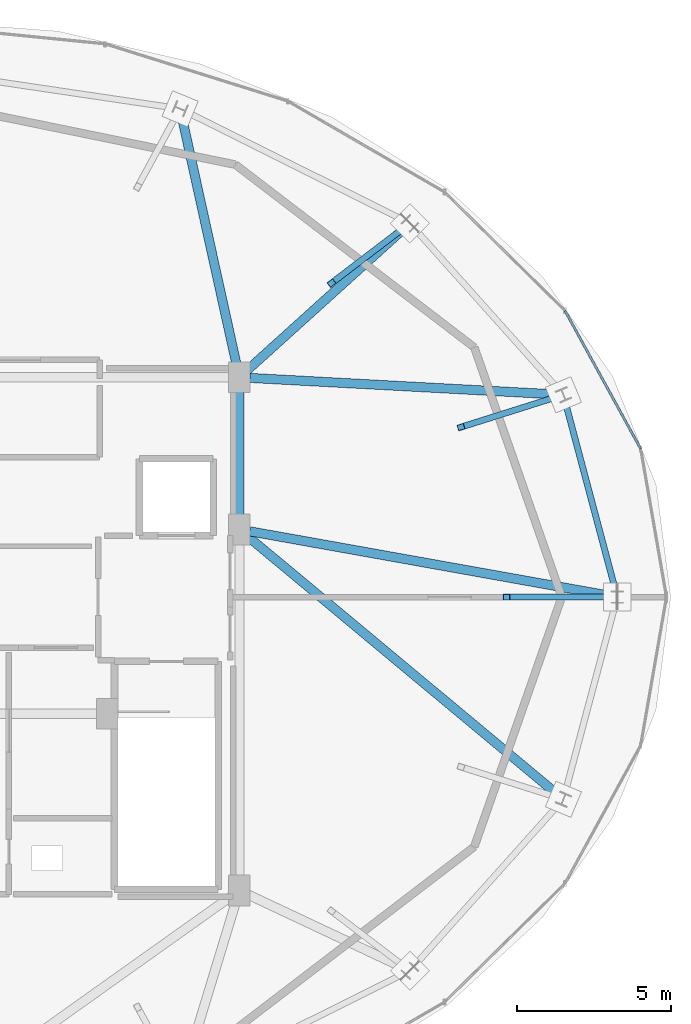
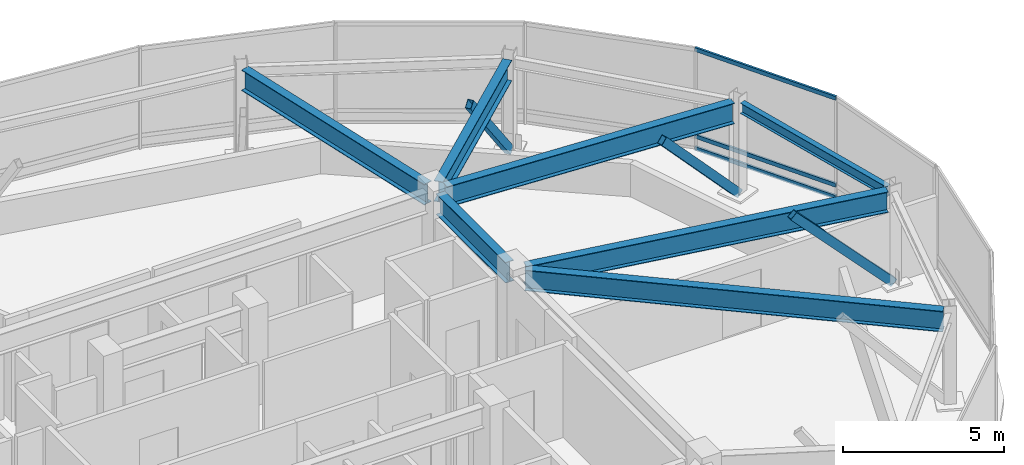
# One storey, part 15 of 28: 7 beams, 6 members, 1 element without a shape of its own.
"""IFC4 building model written with IfcOpenShell, lengths in metres."""

from ifc_helpers import new_model, si_unit, direction, frame, origin, origin_2d, place, context, subcontext, project, spatial, hollow_rectangle, i_section, extrude, material, material_profile, profile_set, type_object, element, aggregate, save


model = new_model("IFC4")

# Units and contexts
model_context = context("Model", 3, precision=1e-05, world=origin(), true_north=direction((0.0, 1.0)))
body_context = subcontext(model_context, "Body", "Model", "MODEL_VIEW")
ifc_project = project(units=[si_unit("LENGTHUNIT", "METRE"), si_unit("AREAUNIT", "SQUARE_METRE"), si_unit("VOLUMEUNIT", "CUBIC_METRE"), si_unit("PLANEANGLEUNIT", "RADIAN"), si_unit("MASSUNIT", "GRAM", prefix="KILO")], contexts=[model_context])

# Site, building, storey
site_placement = place(None, origin())
site = spatial("IfcSite", under=ifc_project, at=site_placement, CompositionType="ELEMENT")
building_placement = place(site_placement, origin())
building = spatial("IfcBuilding", under=site, at=building_placement, Name="Vorneva Point Tower", CompositionType="ELEMENT")
storey_placement = place(building_placement, frame((0.0, 0.0, 295.39990234375)))
storey = spatial("IfcBuildingStorey", under=building, at=storey_placement, Name="C01", CompositionType="ELEMENT", Elevation=295.39990234375)

# Beams
ifc_material_1 = material(Name="Steel S355", Category="steel")
ifc_material_profile_1 = material_profile(ifc_material_1, i_section(OverallWidth=0.300048828125, OverallDepth=0.7880859375, WebThickness=0.014404296875, FlangeThickness=0.02197265625, at=origin_2d()), Name="80Sh1")
ifc_profile_set_1 = profile_set([ifc_material_profile_1], Name="Steel S355")
beam_type_1 = type_object("IfcBeamType", Name="BM-GRD-80Sh1", PredefinedType="USERDEFINED", material=ifc_profile_set_1)
beam_1_placement = place(storey_placement, frame((60.864990234375, 26.033203125, 3.156005859375), z_axis=(-0.984379626052, 0.176058944144, 0.0), x_axis=(-0.176058944144, -0.984379626052, 0.0)))
element("IfcBeam", 1, at=beam_1_placement, inside=storey, type_object=beam_type_1, Name="C01 Radial Primary Girder 01", ObjectType="GIRDER", PredefinedType="USERDEFINED", context=body_context, shape_type="SweptSolid", body=[
    extrude(i_section(OverallWidth=0.300048828125, OverallDepth=0.7880859375, WebThickness=0.014404296875, FlangeThickness=0.02197265625, at=origin_2d()), origin(), (0.0, 0.0, 1.0), 11.96728515625),
])
beam_2_placement = place(storey_placement, frame((59.107666015625, 32.59228515625, 3.156005859375), z_axis=(-0.998554124067, 0.053755570017, 0.0), x_axis=(-0.053755570017, -0.998554124067, 0.0)))
element("IfcBeam", 2, at=beam_2_placement, inside=storey, type_object=beam_type_1, Name="C01 Radial Primary Girder 02", ObjectType="GIRDER", PredefinedType="USERDEFINED", context=body_context, shape_type="SweptSolid", body=[
    extrude(i_section(OverallWidth=0.300048828125, OverallDepth=0.7880859375, WebThickness=0.014404296875, FlangeThickness=0.02197265625, at=origin_2d()), origin(), (0.0, 0.0, 1.0), 10.032470703125),
])
beam_3_placement = place(storey_placement, frame((54.1591796875, 38.0361328125, 3.156005859375), z_axis=(-0.742082348694, -0.670308725706, 0.0), x_axis=(0.670308725706, -0.742082348694, 0.0)))
element("IfcBeam", 3, at=beam_3_placement, inside=storey, type_object=beam_type_1, Name="C01 Radial Primary Girder 03", ObjectType="GIRDER", PredefinedType="USERDEFINED", context=body_context, shape_type="SweptSolid", body=[
    extrude(i_section(OverallWidth=0.300048828125, OverallDepth=0.7880859375, WebThickness=0.014404296875, FlangeThickness=0.02197265625, at=origin_2d()), origin(), (0.0, 0.0, 1.0), 6.94921875),
])
beam_4_placement = place(storey_placement, frame((46.861328125, 41.70703125, 3.156005859375), z_axis=(0.215530781799, -0.97649704664, 0.0), x_axis=(0.97649704664, 0.215530781799, 0.0)))
element("IfcBeam", 4, at=beam_4_placement, inside=storey, type_object=beam_type_1, Name="C01 Radial Primary Girder 04", ObjectType="GIRDER", PredefinedType="USERDEFINED", context=body_context, shape_type="SweptSolid", body=[
    extrude(i_section(OverallWidth=0.300048828125, OverallDepth=0.7880859375, WebThickness=0.014404296875, FlangeThickness=0.02197265625, at=origin_2d()), origin(), (0.0, 0.0, 1.0), 8.423095703125),
])
beam_5_placement = place(storey_placement, frame((59.15087890625, 19.5380859375, 3.156005859375), z_axis=(-0.768421426665, 0.639944146814, 0.0), x_axis=(-0.639944146814, -0.768421426665, 0.0)))
element("IfcBeam", 5, at=beam_5_placement, inside=storey, type_object=beam_type_1, Name="C01 Radial Primary Girder 16", ObjectType="GIRDER", PredefinedType="USERDEFINED", context=body_context, shape_type="SweptSolid", body=[
    extrude(i_section(OverallWidth=0.300048828125, OverallDepth=0.7880859375, WebThickness=0.014404296875, FlangeThickness=0.02197265625, at=origin_2d()), origin(), (0.0, 0.0, 1.0), 13.1953125),
])
beam_6_placement = place(storey_placement, frame((48.75, 28.52001953125, 3.156005859375), z_axis=(0.0, 1.0, 0.0), x_axis=(-1.0, 0.0, 0.0)))
element("IfcBeam", 6, at=beam_6_placement, inside=storey, type_object=beam_type_1, Name="C01 Core Tie Girder CT4", ObjectType="GIRDER", PredefinedType="USERDEFINED", context=body_context, shape_type="SweptSolid", body=[
    extrude(i_section(OverallWidth=0.300048828125, OverallDepth=0.7880859375, WebThickness=0.014404296875, FlangeThickness=0.02197265625, at=origin_2d()), origin(), (0.0, 0.0, 1.0), 4.31005859375),
])
ifc_material_profile_2 = material_profile(ifc_material_1, i_section(OverallWidth=0.198974609375, OverallDepth=0.39599609375, WebThickness=0.007080078125, FlangeThickness=0.010986328125, at=origin_2d()), Name="40B1")
ifc_profile_set_2 = profile_set([ifc_material_profile_2], Name="Steel S355")
beam_type_2 = type_object("IfcBeamType", Name="BM-SPN-40B1", PredefinedType="SPANDREL", material=ifc_profile_set_2)
beam_7_placement = place(storey_placement, frame((61.002197265625, 26.1787109375, 3.35205078125), z_axis=(-0.257558860387, 0.96626261101, 0.0), x_axis=(-0.96626261101, -0.257558860387, 0.0)))
element("IfcBeam", 7, at=beam_7_placement, inside=storey, type_object=beam_type_2, Name="C01 Perimeter Spandrel Ring Beam 01", PredefinedType="SPANDREL", context=body_context, shape_type="SweptSolid", body=[
    extrude(i_section(OverallWidth=0.198974609375, OverallDepth=0.39599609375, WebThickness=0.007080078125, FlangeThickness=0.010986328125, at=origin_2d()), origin(), (0.0, 0.0, 1.0), 6.44189453125),
])

# Curtain wall, members
ifc_material_2 = material(Name="Pale anodised aluminium", Category="aluminium")
curtain_wall_type = type_object("IfcCurtainWallType", Name="CW-CRN-SYS", PredefinedType="NOTDEFINED", material=ifc_material_2)
curtain_wall_placement = place(storey_placement, origin())
curtain_wall = element("IfcCurtainWall", 8, at=curtain_wall_placement, inside=storey, type_object=curtain_wall_type, Name="C01 Unitised Curtain Wall CW-C01-Q1", PredefinedType="NOTDEFINED")
ifc_material_profile_3 = material_profile(ifc_material_2, hollow_rectangle(XDim=0.074951171875, YDim=0.14990234375, WallThickness=0.00390625, at=origin_2d()), Name="AL-TRN 150x75x4")
ifc_profile_set_3 = profile_set([ifc_material_profile_3], Name="Pale anodised aluminium")
member_type_1 = type_object("IfcMemberType", Name="CW-TRN-150", PredefinedType="USERDEFINED", material=ifc_profile_set_3)
member_1_placement = place(storey_placement, frame((61.81005859375, 30.824462890625, 0.02001953125), z_axis=(-0.480429774856, 0.877033198592, 0.0), x_axis=(-0.877033198592, -0.480429774856, 0.0)))
member_1 = element("IfcMember", 9, at=member_1_placement, type_object=member_type_1, Name="CW-C01-Q1 Transom 02.1", ObjectType="TRANSOM", PredefinedType="USERDEFINED", context=body_context, shape_type="SweptSolid", body=[
    extrude(hollow_rectangle(XDim=0.074951171875, YDim=0.14990234375, WallThickness=0.00390625, at=origin_2d()), origin(), (0.0, 0.0, 1.0), 5.1259765625),
])
member_2_placement = place(storey_placement, frame((61.81005859375, 30.824462890625, 0.47998046875), z_axis=(-0.480429774856, 0.877033198592, 0.0), x_axis=(-0.877033198592, -0.480429774856, 0.0)))
member_2 = element("IfcMember", 10, at=member_2_placement, type_object=member_type_1, Name="CW-C01-Q1 Transom 02.2", ObjectType="TRANSOM", PredefinedType="USERDEFINED", context=body_context, shape_type="SweptSolid", body=[
    extrude(hollow_rectangle(XDim=0.074951171875, YDim=0.14990234375, WallThickness=0.00390625, at=origin_2d()), origin(), (0.0, 0.0, 1.0), 5.1259765625),
])
member_3_placement = place(storey_placement, frame((61.81005859375, 30.824462890625, 3.780029296875), z_axis=(-0.480429774856, 0.877033198592, 0.0), x_axis=(-0.877033198592, -0.480429774856, 0.0)))
member_3 = element("IfcMember", 11, at=member_3_placement, type_object=member_type_1, Name="CW-C01-Q1 Transom 02.3", ObjectType="TRANSOM", PredefinedType="USERDEFINED", context=body_context, shape_type="SweptSolid", body=[
    extrude(hollow_rectangle(XDim=0.074951171875, YDim=0.14990234375, WallThickness=0.00390625, at=origin_2d()), origin(), (0.0, 0.0, 1.0), 5.1259765625),
])
aggregate(curtain_wall, [member_1, member_2, member_3])

# Members
ifc_material_profile_4 = material_profile(ifc_material_1, hollow_rectangle(XDim=0.199951171875, YDim=0.300048828125, WallThickness=0.011962890625, at=origin_2d()), Name="PP 300x200x12")
ifc_profile_set_4 = profile_set([ifc_material_profile_4], Name="Steel S355")
member_type_2 = type_object("IfcMemberType", Name="MBR-CRN-PP300", PredefinedType="CHORD", material=ifc_profile_set_4)
member_4_placement = place(storey_placement, frame((61.050048828125, 26.0, 0.0), z_axis=(-0.688559648215, 0.0, 0.725179709348), x_axis=(0.0, -1.0, 0.0)))
element("IfcMember", 12, at=member_4_placement, inside=storey, type_object=member_type_2, Name="Crown Tapered Frame Rib C01-01", PredefinedType="CHORD", context=body_context, shape_type="SweptSolid", body=[
    extrude(hollow_rectangle(XDim=0.199951171875, YDim=0.300048828125, WallThickness=0.011962890625, at=origin_2d()), origin(), (0.0, 0.0, 1.0), 5.240234375),
])
member_5_placement = place(storey_placement, frame((59.29541015625, 32.582275390625, 0.0), z_axis=(-0.645578203755, -0.203844403163, 0.735986577415), x_axis=(0.301101283468, -0.953592164971, 0.0)))
element("IfcMember", 13, at=member_5_placement, inside=storey, type_object=member_type_2, Name="Crown Tapered Frame Rib C01-02", PredefinedType="CHORD", context=body_context, shape_type="SweptSolid", body=[
    extrude(hollow_rectangle(XDim=0.199951171875, YDim=0.300048828125, WallThickness=0.011962890625, at=origin_2d()), origin(), (0.0, 0.0, 1.0), 5.1630859375),
])
member_6_placement = place(storey_placement, frame((54.298828125, 38.162109375, 0.0), z_axis=(-0.513033981521, -0.390985897496, 0.764150614581), x_axis=(0.606144108683, -0.795354838741, 0.0)))
element("IfcMember", 14, at=member_6_placement, inside=storey, type_object=member_type_2, Name="Crown Tapered Frame Rib C01-03", PredefinedType="CHORD", context=body_context, shape_type="SweptSolid", body=[
    extrude(hollow_rectangle(XDim=0.199951171875, YDim=0.300048828125, WallThickness=0.011962890625, at=origin_2d()), origin(), (0.0, 0.0, 1.0), 4.972900390625),
])

save(model, "model.ifc")
